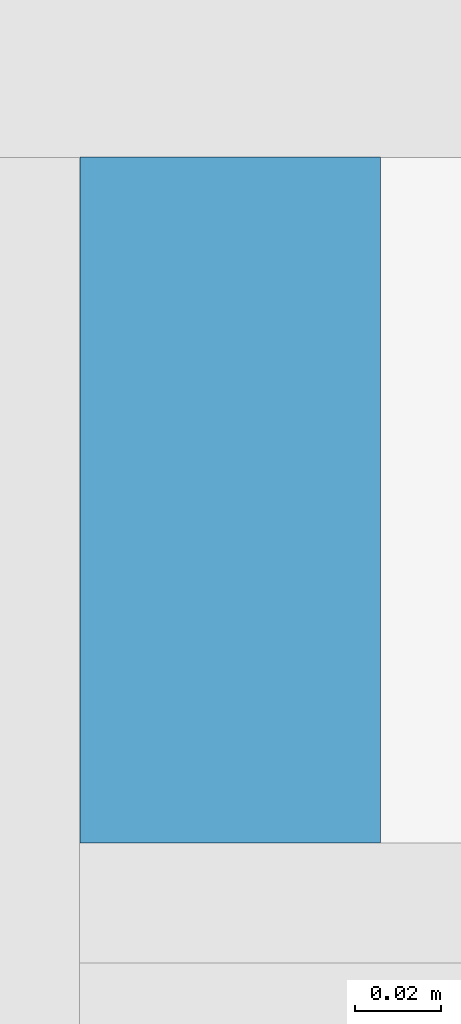
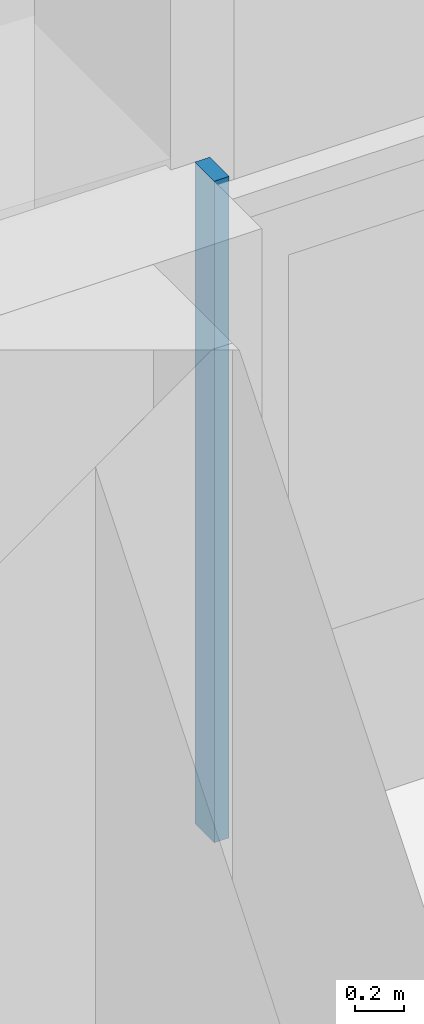
# One storey, part 13 of 31: 1 member, 1 element without a shape of its own.
"""IFC4 building model written with IfcOpenShell, lengths in metres."""

import ifcopenshell
import ifcopenshell.guid

model = None  # the IFC model being written
_history = None  # IfcOwnerHistory: only IFC2X3 demands one
_inside = {}  # id of a spatial element -> (the spatial element, [elements in it])
_under = {}  # id of a project, library or spatial element -> (it, [spatial elements below it])
_declared = {}  # id of a project -> (the project, [libraries it declares])
_typed = {}  # id of a type object -> (the type object, [elements of that type])
_made_of = {}  # id of a material, layer set ... -> (it, [elements and type objects made of it])


def new_model(schema):
    """Start an empty IFC model of exactly this schema.

    Asked for "IFC4X3", IfcOpenShell would pick the latest addendum, in which some entities
    have other attributes; the version numbers below select the first issue.
    IFC2X3 requires an IfcOwnerHistory on every rooted entity: one is made here for all.
    """
    global model, _history
    if schema == "IFC4X3":
        model = ifcopenshell.file(schema_version=(4, 3, 0, 0))
    else:
        model = ifcopenshell.file(schema=schema)
    _inside.clear()
    _under.clear()
    _declared.clear()
    _typed.clear()
    _made_of.clear()
    _history = None
    if model.schema == "IFC2X3":
        org = make("IfcOrganization", Name="unknown")
        user = make(
            "IfcPersonAndOrganization",
            ThePerson=make("IfcPerson", FamilyName="unknown"),
            TheOrganization=org,
        )
        app = make(
            "IfcApplication",
            ApplicationDeveloper=org,
            Version="unknown",
            ApplicationFullName="unknown",
            ApplicationIdentifier="unknown",
        )
        _history = make(
            "IfcOwnerHistory",
            OwningUser=user,
            OwningApplication=app,
            ChangeAction="ADDED",
            CreationDate=0,
        )
    return model


def make(cls, **values):
    """One entity of the class cls with the attributes given. An attribute that is None is left unset."""
    return model.create_entity(
        cls, **{name: value for name, value in values.items() if value is not None}
    )


def rooted(cls, **values):
    """An entity with a GlobalId (a new one), such as an element, a storey or a relation."""
    return make(cls, GlobalId=ifcopenshell.guid.new(), OwnerHistory=_history, **values)


def si_unit(unit_type, name, prefix=None):
    """IfcSIUnit, for example si_unit("LENGTHUNIT", "METRE", prefix="MILLI")."""
    return make("IfcSIUnit", UnitType=unit_type, Prefix=prefix, Name=name)


def assignment(units):
    """IfcUnitAssignment: the units of a project."""
    return None if units is None else make("IfcUnitAssignment", Units=units)


def point(xyz):
    """IfcCartesianPoint."""
    return None if xyz is None else make("IfcCartesianPoint", Coordinates=xyz)


def direction(xyz):
    """IfcDirection."""
    return None if xyz is None else make("IfcDirection", DirectionRatios=xyz)


def frame(location, z_axis=None, x_axis=None):
    """IfcAxis2Placement3D, a coordinate frame: its origin and axes. An axis left out is left unset."""
    return make(
        "IfcAxis2Placement3D",
        Location=point(location),
        Axis=direction(z_axis),
        RefDirection=direction(x_axis),
    )


def frame_2d(location, x_axis=None):
    """IfcAxis2Placement2D, a coordinate frame in the plane: its origin and x axis."""
    return make(
        "IfcAxis2Placement2D", Location=point(location), RefDirection=direction(x_axis)
    )


def origin():
    """The frame at (0, 0, 0) with its axes left unset."""
    return frame((0.0, 0.0, 0.0))


def origin_2d():
    """The frame at (0, 0) in the plane with its x axis left unset."""
    return frame_2d((0.0, 0.0))


def place(relative_to, where):
    """IfcLocalPlacement: puts the frame where relative to a parent placement (None: the world)."""
    return make(
        "IfcLocalPlacement", PlacementRelTo=relative_to, RelativePlacement=where
    )


def context(
    kind, dimensions, precision=None, world=None, true_north=None, identifier=None
):
    """IfcGeometricRepresentationContext, for example the 3D "Model" context."""
    return make(
        "IfcGeometricRepresentationContext",
        ContextIdentifier=identifier,
        ContextType=kind,
        CoordinateSpaceDimension=dimensions,
        Precision=precision,
        WorldCoordinateSystem=world,
        TrueNorth=true_north,
    )


def subcontext(parent, identifier, kind, view, scale=None):
    """IfcGeometricRepresentationSubContext, for example "Body" below "Model"."""
    return make(
        "IfcGeometricRepresentationSubContext",
        ContextIdentifier=identifier,
        ContextType=kind,
        ParentContext=parent,
        TargetScale=scale,
        TargetView=view,
    )


def project(units=None, contexts=None):
    """IfcProject with its units and contexts."""
    return rooted(
        "IfcProject",
        Name="project",
        RepresentationContexts=contexts,
        UnitsInContext=assignment(units),
    )


def spatial(cls, under=None, at=None, **own):
    """A site, building, storey or space (cls), placed at a placement, below another one or the project."""
    s = rooted(cls, ObjectPlacement=at, **own)
    if under is not None:
        _under.setdefault(under.id(), (under, []))[1].append(s)
    return s


def profile(cls, at=None, kind="AREA", **sizes):
    """A parametric profile (cls). Its sizes go by their IFC names, for example OverallWidth=200.0."""
    return make(cls, ProfileType=kind, Position=at, **sizes)


def rectangle(**sizes):
    """IfcRectangleProfileDef."""
    return profile("IfcRectangleProfileDef", **sizes)


def extrude(swept, where, along, depth):
    """IfcExtrudedAreaSolid: the profile swept, set in the frame where, extruded along a direction by depth."""
    return make(
        "IfcExtrudedAreaSolid",
        SweptArea=swept,
        Position=where,
        ExtrudedDirection=direction(along),
        Depth=depth,
    )


def shape(context_of_items, identifier, shape_type, items):
    """IfcShapeRepresentation: the items that make up one representation, for example the "Body"."""
    return make(
        "IfcShapeRepresentation",
        ContextOfItems=context_of_items,
        RepresentationIdentifier=identifier,
        RepresentationType=shape_type,
        Items=items,
    )


def material(Name=None, Category=None):
    """IfcMaterial."""
    return make("IfcMaterial", Name=Name, Category=Category)


def material_profile(
    of_material, cross_section, Name=None, Category=None, Priority=None
):
    """IfcMaterialProfile: a cross section and its material."""
    return make(
        "IfcMaterialProfile",
        Name=Name,
        Material=of_material,
        Profile=cross_section,
        Priority=Priority,
        Category=Category,
    )


def profile_set(profiles, Name=None, composite=None):
    """IfcMaterialProfileSet."""
    return make(
        "IfcMaterialProfileSet",
        Name=Name,
        MaterialProfiles=profiles,
        CompositeProfile=composite,
    )


def made_of(thing, what):
    """Note that an element or type object is made of a material, layer set ...; save() writes the relation."""
    if what is not None:
        _made_of.setdefault(what.id(), (what, []))[1].append(thing)
    return thing


def type_object(cls, material=None, **own):
    """A type object (cls), such as IfcWallType, which elements share."""
    return made_of(rooted(cls, **own), material)


def element(
    cls,
    number,
    at=None,
    inside=None,
    cuts=None,
    type_object=None,
    material=None,
    context=None,
    identifier="Body",
    shape_type=None,
    held_by="IfcProductDefinitionShape",
    body=None,
    shapes=None,
    **own,
):
    """One element of the class cls, such as IfcWall. Its Tag is "e" and its number.

    at: its placement. inside: the storey or other place that contains it. cuts: it is an
    opening in that element (IfcRelVoidsElement). A single representation is given by context,
    identifier, shape_type and body (its items); several are given by shapes. held_by: the class
    of the entity that holds the representations. save() writes the other relations.
    """
    e = rooted(cls, Tag="e%d" % number, ObjectPlacement=at, **own)
    if body is not None:
        shapes = [shape(context, identifier, shape_type, body)]
    if shapes is not None:
        e.Representation = make(held_by, Representations=shapes)
    if inside is not None:
        _inside.setdefault(inside.id(), (inside, []))[1].append(e)
    if cuts is not None:
        rooted(
            "IfcRelVoidsElement", RelatingBuildingElement=cuts, RelatedOpeningElement=e
        )
    if type_object is not None:
        _typed.setdefault(type_object.id(), (type_object, []))[1].append(e)
    return made_of(e, material)


def aggregate(whole, parts):
    """IfcRelAggregates: a whole, such as a stair, and the parts it consists of."""
    return rooted("IfcRelAggregates", RelatingObject=whole, RelatedObjects=parts)


def save(model, path):
    """Write the relations noted so far, then the file.

    IfcRelAggregates (storeys below a building ...), IfcRelContainedInSpatialStructure (elements
    in a storey), IfcRelDefinesByType, IfcRelAssociatesMaterial and IfcRelDeclares: one each for
    every whole, place, type object, material and project.
    """
    for whole, parts in _under.values():
        aggregate(whole, parts)
    for where, things in _inside.values():
        rooted(
            "IfcRelContainedInSpatialStructure",
            RelatedElements=things,
            RelatingStructure=where,
        )
    for kind, things in _typed.values():
        rooted("IfcRelDefinesByType", RelatedObjects=things, RelatingType=kind)
    for what, things in _made_of.values():
        rooted("IfcRelAssociatesMaterial", RelatedObjects=things, RelatingMaterial=what)
    for by, libraries in _declared.values():
        rooted("IfcRelDeclares", RelatingContext=by, RelatedDefinitions=libraries)
    model.write(path)


model = new_model("IFC4")

# Units and contexts
model_context = context("Model", 3, precision=1e-05, world=origin(), true_north=direction((0.0, 1.0)))
body_context = subcontext(model_context, "Body", "Model", "MODEL_VIEW")
ifc_project = project(units=[si_unit("LENGTHUNIT", "METRE"), si_unit("AREAUNIT", "SQUARE_METRE"), si_unit("VOLUMEUNIT", "CUBIC_METRE"), si_unit("PLANEANGLEUNIT", "RADIAN"), si_unit("MASSUNIT", "GRAM", prefix="KILO")], contexts=[model_context])

# Site, building, storey
site_placement = place(None, origin())
site = spatial("IfcSite", under=ifc_project, at=site_placement, CompositionType="ELEMENT")
building_placement = place(site_placement, origin())
building = spatial("IfcBuilding", under=site, at=building_placement, Name="Saffron Gate Tower", CompositionType="ELEMENT")
storey_placement = place(building_placement, frame((0.0, 0.0, 205.5)))
storey = spatial("IfcBuildingStorey", under=building, at=storey_placement, Name="L49", CompositionType="ELEMENT", Elevation=205.5)

# Curtain wall, member
ifc_material = material(Name="Aluminium, bronze anodised", Category="aluminium")
curtain_wall_type = type_object("IfcCurtainWallType", Name="CWS3 curtain wall rear facade", PredefinedType="NOTDEFINED", material=ifc_material)
curtain_wall_placement = place(storey_placement, origin())
curtain_wall = element("IfcCurtainWall", 1, at=curtain_wall_placement, inside=storey, type_object=curtain_wall_type, Name="CWS3 run 7", PredefinedType="NOTDEFINED")
ifc_material_profile = material_profile(ifc_material, rectangle(XDim=0.159912109375, YDim=0.070068359375, at=origin_2d()))
ifc_profile_set = profile_set([ifc_material_profile], Name="Aluminium, bronze anodised")
member_type = type_object("IfcMemberType", Name="CWS3 mullion 70x160", PredefinedType="MULLION", material=ifc_profile_set)
member_placement = place(storey_placement, frame((108.60009765625, 75.52001953125, 0.0), z_axis=(0.0, 0.0, 1.0), x_axis=(0.0, -1.0, 0.0)))
member = element("IfcMember", 2, at=member_placement, type_object=member_type, Name="CWS3 mullion 3", PredefinedType="MULLION", context=body_context, shape_type="SweptSolid", body=[
    extrude(rectangle(XDim=0.159912109375, YDim=0.070068359375, at=origin_2d()), origin(), (0.0, 0.0, 1.0), 3.320068359375),
])
aggregate(curtain_wall, [member])

save(model, "model.ifc")
